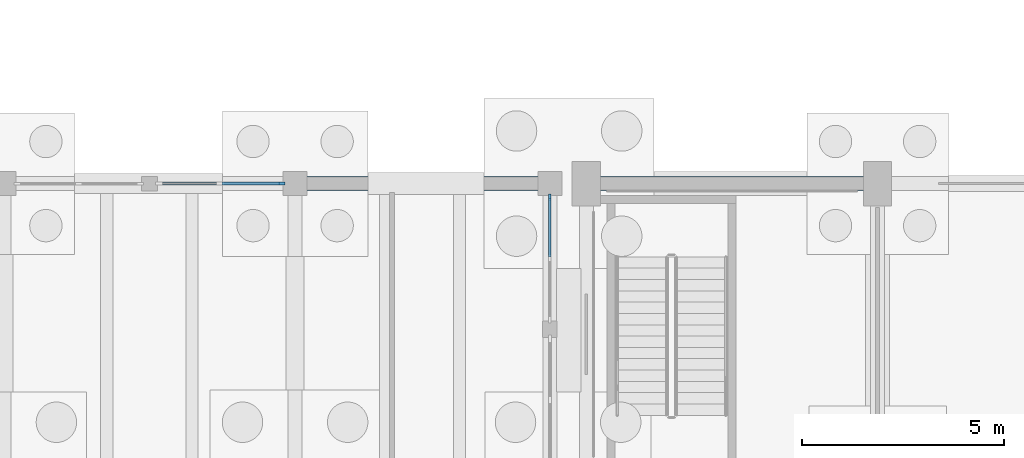
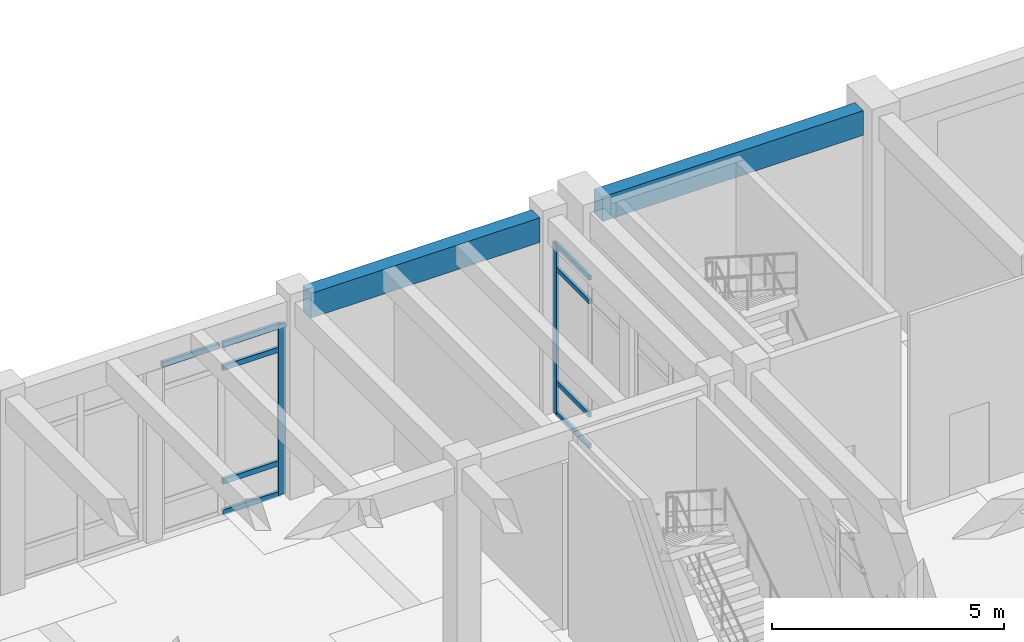
# One storey, part 30 of 93: 11 members, 2 beams, 2 elements without a shape of their own.
"""IFC4 building model written with IfcOpenShell, lengths in metres."""

from ifc_helpers import new_model, si_unit, direction, frame, origin, origin_2d, place, context, subcontext, project, spatial, rectangle, extrude, material, layer, layer_set, material_profile, profile_set, type_object, element, aggregate, save


model = new_model("IFC4")

# Units and contexts
model_context = context("Model", 3, precision=1e-05, world=origin(), true_north=direction((0.0, 1.0)))
body_context = subcontext(model_context, "Body", "Model", "MODEL_VIEW")
ifc_project = project(units=[si_unit("LENGTHUNIT", "METRE"), si_unit("AREAUNIT", "SQUARE_METRE"), si_unit("VOLUMEUNIT", "CUBIC_METRE"), si_unit("PLANEANGLEUNIT", "RADIAN"), si_unit("MASSUNIT", "GRAM", prefix="KILO")], contexts=[model_context])

# Site, building, storey
site_placement = place(None, origin())
site = spatial("IfcSite", under=ifc_project, at=site_placement, CompositionType="ELEMENT")
building_placement = place(site_placement, origin())
building = spatial("IfcBuilding", under=site, at=building_placement, Name="Koriwan Promenade Central Fire Station", CompositionType="ELEMENT")
storey_placement = place(building_placement, origin())
storey = spatial("IfcBuildingStorey", under=building, at=storey_placement, Name="L00", CompositionType="ELEMENT", Elevation=0.0)

# Beams
ifc_material_1 = material(Name="Concrete C35/45", Category="concrete")
ifc_material_profile_1 = material_profile(ifc_material_1, rectangle(XDim=0.35009765625, YDim=0.64990234375, at=origin_2d()), Name="RC-SP-350x650")
ifc_profile_set_1 = profile_set([ifc_material_profile_1], Name="Concrete C35/45")
beam_type = type_object("IfcBeamType", Name="Beam_RC-SP-350x650", PredefinedType="SPANDREL", material=ifc_profile_set_1)
beam_1_placement = place(storey_placement, frame((57.949951171875, 72.0, 4.824951171875), z_axis=(1.0, 0.0, 0.0), x_axis=(0.0, 1.0, 0.0)))
element("IfcBeam", 1, at=beam_1_placement, inside=storey, type_object=beam_type, Name="V1 L00 girder X-12", PredefinedType="SPANDREL", context=body_context, shape_type="SweptSolid", body=[
    extrude(rectangle(XDim=0.35009765625, YDim=0.64990234375, at=origin_2d()), origin(), (0.0, 0.0, 1.0), 6.5),
])
beam_2_placement = place(storey_placement, frame((50.699951171875, 72.0, 4.824951171875), z_axis=(1.0, 0.0, 0.0), x_axis=(0.0, 1.0, 0.0)))
element("IfcBeam", 2, at=beam_2_placement, inside=storey, type_object=beam_type, Name="V4 L00 girder X-353", PredefinedType="SPANDREL", context=body_context, shape_type="SweptSolid", body=[
    extrude(rectangle(XDim=0.35009765625, YDim=0.64990234375, at=origin_2d()), origin(), (0.0, 0.0, 1.0), 5.699951171875),
])

# Curtain wall, member
ifc_material_2 = material(Name="Aluminium EN AW-6063-T6 and low-E glazing", Category="aluminium")
ifc_layer_1 = layer(ifc_material_2, 0.159912109375, Name="Aluminium EN AW-6063-T6 and low-E glazing")
ifc_layer_set_1 = layer_set([ifc_layer_1], Name="Aluminium EN AW-6063-T6 and low-E glazing")
curtain_wall_type_1 = type_object("IfcCurtainWallType", Name="CurtainWall_24_310x449", PredefinedType="USERDEFINED", material=ifc_layer_set_1)
curtain_wall_1_placement = place(storey_placement, origin())
curtain_wall_1 = element("IfcCurtainWall", 3, at=curtain_wall_1_placement, inside=storey, type_object=curtain_wall_type_1, Name="V4 L00 unitised curtain wall 095", ObjectType="UNITISED CURTAIN WALL", PredefinedType="USERDEFINED")
ifc_material_3 = material(Name="Aluminium EN AW-6063-T6", Category="aluminium")
ifc_material_profile_2 = material_profile(ifc_material_3, rectangle(XDim=0.06494140625, YDim=0.159912109375, at=origin_2d()), Name="ALU-MUL-65x160")
ifc_profile_set_2 = profile_set([ifc_material_profile_2], Name="Aluminium EN AW-6063-T6")
member_type_1 = type_object("IfcMemberType", Name="CWMullion_ALU-MUL-65x160", PredefinedType="MULLION", material=ifc_profile_set_2)
member_1_placement = place(storey_placement, frame((56.699951171875, 71.66748046875, 0.0), z_axis=(0.0, 0.0, 1.0), x_axis=(1.0, 0.0, 0.0)))
member_1 = element("IfcMember", 4, at=member_1_placement, type_object=member_type_1, Name="CW-24 mullion 1", PredefinedType="MULLION", context=body_context, shape_type="SweptSolid", body=[
    extrude(rectangle(XDim=0.06494140625, YDim=0.159912109375, at=origin_2d()), origin(), (0.0, 0.0, 1.0), 4.489990234375),
])

ifc_layer_2 = layer(ifc_material_2, 0.159912109375, Name="Aluminium EN AW-6063-T6 and low-E glazing")
ifc_layer_set_2 = layer_set([ifc_layer_2], Name="Aluminium EN AW-6063-T6 and low-E glazing")
curtain_wall_type_2 = type_object("IfcCurtainWallType", Name="CurtainWall_39_310x449", PredefinedType="USERDEFINED", material=ifc_layer_set_2)
curtain_wall_2_placement = place(storey_placement, origin())
curtain_wall_2 = element("IfcCurtainWall", 5, at=curtain_wall_2_placement, inside=storey, type_object=curtain_wall_type_2, Name="V4 L00 unitised curtain wall 094", ObjectType="UNITISED CURTAIN WALL", PredefinedType="USERDEFINED")
ifc_material_profile_3 = material_profile(ifc_material_3, rectangle(XDim=0.074951171875, YDim=0.179931640625, at=origin_2d()), Name="ALU-MUL-75x180")
ifc_profile_set_3 = profile_set([ifc_material_profile_3], Name="Aluminium EN AW-6063-T6")
member_type_2 = type_object("IfcMemberType", Name="CWMullion_ALU-MUL-75x180", PredefinedType="MULLION", material=ifc_profile_set_3)
member_2_placement = place(storey_placement, frame((50.0625, 72.0, 0.0), z_axis=(0.0, 0.0, 1.0), x_axis=(0.0, 1.0, 0.0)))
member_2 = element("IfcMember", 6, at=member_2_placement, type_object=member_type_2, Name="CW-39 mullion 3", PredefinedType="MULLION", context=body_context, shape_type="SweptSolid", body=[
    extrude(rectangle(XDim=0.074951171875, YDim=0.179931640625, at=origin_2d()), origin(), (0.0, 0.0, 1.0), 4.489990234375),
])

# Member
ifc_material_profile_4 = material_profile(ifc_material_3, rectangle(XDim=0.06494140625, YDim=0.1201171875, at=origin_2d()), Name="ALU-TRN-65x120")
ifc_profile_set_4 = profile_set([ifc_material_profile_4], Name="Aluminium EN AW-6063-T6")
member_type_3 = type_object("IfcMemberType", Name="CWTransom_ALU-TRN-65x120", PredefinedType="USERDEFINED", material=ifc_profile_set_4)
member_3_placement = place(storey_placement, frame((56.699951171875, 71.635009765625, 0.032470703125), z_axis=(0.0, -1.0, 0.0), x_axis=(1.0, 0.0, 0.0)))
member_3 = element("IfcMember", 7, at=member_3_placement, type_object=member_type_3, Name="CW-24 transom 1.1", ObjectType="TRANSOM", PredefinedType="USERDEFINED", context=body_context, shape_type="SweptSolid", body=[
    extrude(rectangle(XDim=0.06494140625, YDim=0.1201171875, at=origin_2d()), origin(), (0.0, 0.0, 1.0), 1.452392578125),
])

member_4_placement = place(storey_placement, frame((56.699951171875, 71.635009765625, 0.85009765625), z_axis=(0.0, -1.0, 0.0), x_axis=(1.0, 0.0, 0.0)))
member_4 = element("IfcMember", 8, at=member_4_placement, type_object=member_type_3, Name="CW-24 transom 1.2", ObjectType="TRANSOM", PredefinedType="USERDEFINED", context=body_context, shape_type="SweptSolid", body=[
    extrude(rectangle(XDim=0.06494140625, YDim=0.1201171875, at=origin_2d()), origin(), (0.0, 0.0, 1.0), 1.452392578125),
])

member_5_placement = place(storey_placement, frame((56.699951171875, 71.635009765625, 3.840087890625), z_axis=(0.0, -1.0, 0.0), x_axis=(1.0, 0.0, 0.0)))
member_5 = element("IfcMember", 9, at=member_5_placement, type_object=member_type_3, Name="CW-24 transom 1.3", ObjectType="TRANSOM", PredefinedType="USERDEFINED", context=body_context, shape_type="SweptSolid", body=[
    extrude(rectangle(XDim=0.06494140625, YDim=0.1201171875, at=origin_2d()), origin(), (0.0, 0.0, 1.0), 1.452392578125),
])

member_6_placement = place(storey_placement, frame((56.699951171875, 71.635009765625, 4.45751953125), z_axis=(0.0, -1.0, 0.0), x_axis=(1.0, 0.0, 0.0)))
member_6 = element("IfcMember", 10, at=member_6_placement, type_object=member_type_3, Name="CW-24 transom 1.4", ObjectType="TRANSOM", PredefinedType="USERDEFINED", context=body_context, shape_type="SweptSolid", body=[
    extrude(rectangle(XDim=0.06494140625, YDim=0.1201171875, at=origin_2d()), origin(), (0.0, 0.0, 1.0), 1.452392578125),
])

aggregate(curtain_wall_1, [member_1, member_3, member_4, member_5, member_6])

ifc_material_profile_5 = material_profile(ifc_material_3, rectangle(XDim=0.074951171875, YDim=0.139892578125, at=origin_2d()), Name="ALU-TRN-75x140")
ifc_profile_set_5 = profile_set([ifc_material_profile_5], Name="Aluminium EN AW-6063-T6")
member_type_4 = type_object("IfcMemberType", Name="CWTransom_ALU-TRN-75x140", PredefinedType="USERDEFINED", material=ifc_profile_set_5)
member_7_placement = place(storey_placement, frame((47.074951171875, 72.0, 4.452392578125), z_axis=(1.0, 0.0, 0.0), x_axis=(0.0, 1.0, 0.0)))
member_7 = element("IfcMember", 11, at=member_7_placement, type_object=member_type_4, Name="CW-39 transom 1.4", ObjectType="TRANSOM", PredefinedType="USERDEFINED", context=body_context, shape_type="SweptSolid", body=[
    extrude(rectangle(XDim=0.074951171875, YDim=0.139892578125, at=origin_2d()), origin(), (0.0, 0.0, 1.0), 1.4375),
])

member_8_placement = place(storey_placement, frame((48.58740234375, 72.0, 0.03759765625), z_axis=(1.0, 0.0, 0.0), x_axis=(0.0, 1.0, 0.0)))
member_8 = element("IfcMember", 12, at=member_8_placement, type_object=member_type_4, Name="CW-39 transom 2.1", ObjectType="TRANSOM", PredefinedType="USERDEFINED", context=body_context, shape_type="SweptSolid", body=[
    extrude(rectangle(XDim=0.074951171875, YDim=0.139892578125, at=origin_2d()), origin(), (0.0, 0.0, 1.0), 1.4375),
])

member_9_placement = place(storey_placement, frame((48.58740234375, 72.0, 0.85009765625), z_axis=(1.0, 0.0, 0.0), x_axis=(0.0, 1.0, 0.0)))
member_9 = element("IfcMember", 13, at=member_9_placement, type_object=member_type_4, Name="CW-39 transom 2.2", ObjectType="TRANSOM", PredefinedType="USERDEFINED", context=body_context, shape_type="SweptSolid", body=[
    extrude(rectangle(XDim=0.074951171875, YDim=0.139892578125, at=origin_2d()), origin(), (0.0, 0.0, 1.0), 1.4375),
])

member_10_placement = place(storey_placement, frame((48.58740234375, 72.0, 3.840087890625), z_axis=(1.0, 0.0, 0.0), x_axis=(0.0, 1.0, 0.0)))
member_10 = element("IfcMember", 14, at=member_10_placement, type_object=member_type_4, Name="CW-39 transom 2.3", ObjectType="TRANSOM", PredefinedType="USERDEFINED", context=body_context, shape_type="SweptSolid", body=[
    extrude(rectangle(XDim=0.074951171875, YDim=0.139892578125, at=origin_2d()), origin(), (0.0, 0.0, 1.0), 1.4375),
])

member_11_placement = place(storey_placement, frame((48.58740234375, 72.0, 4.452392578125), z_axis=(1.0, 0.0, 0.0), x_axis=(0.0, 1.0, 0.0)))
member_11 = element("IfcMember", 15, at=member_11_placement, type_object=member_type_4, Name="CW-39 transom 2.4", ObjectType="TRANSOM", PredefinedType="USERDEFINED", context=body_context, shape_type="SweptSolid", body=[
    extrude(rectangle(XDim=0.074951171875, YDim=0.139892578125, at=origin_2d()), origin(), (0.0, 0.0, 1.0), 1.4375),
])

aggregate(curtain_wall_2, [member_2, member_7, member_8, member_9, member_10, member_11])

save(model, "model.ifc")
